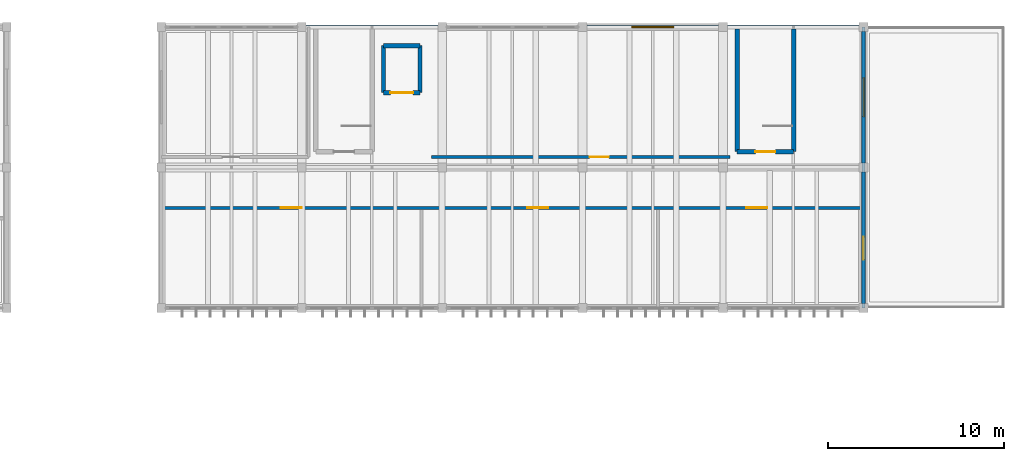
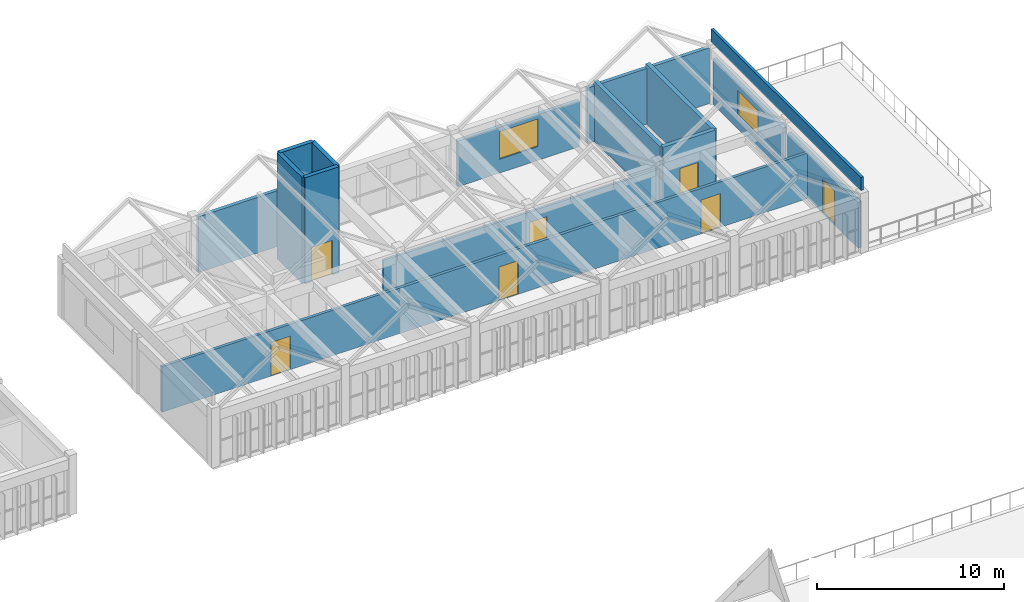
# One storey, part 22 of 31: 15 walls, 7 doors, 2 windows, 9 openings.
"""IFC4 building model written with IfcOpenShell, lengths in metres."""

from ifc_helpers import new_model, si_unit, direction, frame, frame_2d, origin, place, context, subcontext, project, spatial, rectangle, extrude, material, layer, layer_set, type_object, element, fill, save


model = new_model("IFC4")

# Units and contexts
model_context = context("Model", 3, precision=1e-05, world=origin(), true_north=direction((0.0, 1.0)))
body_context = subcontext(model_context, "Body", "Model", "MODEL_VIEW")
ifc_project = project(units=[si_unit("LENGTHUNIT", "METRE"), si_unit("AREAUNIT", "SQUARE_METRE"), si_unit("VOLUMEUNIT", "CUBIC_METRE"), si_unit("PLANEANGLEUNIT", "RADIAN"), si_unit("MASSUNIT", "GRAM", prefix="KILO")], contexts=[model_context])

# Site, building, storey
site_placement = place(None, origin())
site = spatial("IfcSite", under=ifc_project, at=site_placement, CompositionType="ELEMENT")
building_placement = place(site_placement, origin())
building = spatial("IfcBuilding", under=site, at=building_placement, Name="Tlaxcora Railside Police Headquarters", CompositionType="ELEMENT")
storey_placement = place(building_placement, frame((0.0, 0.0, 18.0)))
storey = spatial("IfcBuildingStorey", under=building, at=storey_placement, Name="L04", CompositionType="ELEMENT", Elevation=18.0)

# Wall, openings, doors
ifc_material_1 = material(Name="Gypsum acoustic partition board")
ifc_layer_1 = layer(ifc_material_1, 0.175048828125, Name="Gypsum acoustic partition board")
ifc_layer_set_1 = layer_set([ifc_layer_1], Name="Gypsum acoustic partition board")
wall_type_1 = type_object("IfcWallType", Name="Interior Partition Wall IW-22", PredefinedType="PARTITIONING", material=ifc_layer_set_1)
wall_1_placement = place(storey_placement, frame((102.8798828125, 82.5, 0.0), z_axis=(0.0, 0.0, 1.0), x_axis=(1.0, 0.0, 0.0)))
wall_1 = element("IfcWall", 1, at=wall_1_placement, inside=storey, type_object=wall_type_1, Name="V6 L04 interior partition 207", PredefinedType="PARTITIONING", context=body_context, shape_type="SweptSolid", body=[
    extrude(rectangle(XDim=39.840087890625, YDim=0.175048828125, at=frame_2d((19.919921875, 0.0))), origin(), (0.0, 0.0, 1.0), 2.965087890625),
])
opening_1_placement = place(wall_1_placement, frame((6.719970703125, 0.0, 0.0)))
opening_1 = element("IfcOpeningElement", 2, at=opening_1_placement, cuts=wall_1, Name="Opening D-L04-230", PredefinedType="OPENING", context=body_context, shape_type="SweptSolid", body=[
    extrude(rectangle(XDim=1.199951171875, YDim=2.199951171875, at=frame_2d((0.60009765625, 1.10009765625))), frame((0.0, 0.09765625, 0.0), z_axis=(0.0, -1.0, 0.0), x_axis=(1.0, 0.0, 0.0)), (0.0, 0.0, 1.0), 0.195068359375),
])
opening_2_placement = place(wall_1_placement, frame((20.760009765625, 0.0, 0.0)))
opening_2 = element("IfcOpeningElement", 3, at=opening_2_placement, cuts=wall_1, Name="Opening D-L04-231", PredefinedType="OPENING", context=body_context, shape_type="SweptSolid", body=[
    extrude(rectangle(XDim=1.199951171875, YDim=2.199951171875, at=frame_2d((0.60009765625, 1.10009765625))), frame((0.0, 0.09765625, 0.0), z_axis=(0.0, -1.0, 0.0), x_axis=(1.0, 0.0, 0.0)), (0.0, 0.0, 1.0), 0.195068359375),
])
opening_3_placement = place(wall_1_placement, frame((33.239990234375, 0.0, 0.0)))
opening_3 = element("IfcOpeningElement", 4, at=opening_3_placement, cuts=wall_1, Name="Opening D-L04-232", PredefinedType="OPENING", context=body_context, shape_type="SweptSolid", body=[
    extrude(rectangle(XDim=1.199951171875, YDim=2.199951171875, at=frame_2d((0.60009765625, 1.10009765625))), frame((0.0, 0.09765625, 0.0), z_axis=(0.0, -1.0, 0.0), x_axis=(1.0, 0.0, 0.0)), (0.0, 0.0, 1.0), 0.195068359375),
])
ifc_material_2 = material(Name="Steel ASTM A992 Grade 50", Category="steel")
door_type_1 = type_object("IfcDoorType", Name="Swing or Sliding Personnel Door ID-65", OperationType="NOTDEFINED", PredefinedType="DOOR", material=ifc_material_2)
door_1_placement = place(opening_1_placement, origin())
door_1 = element("IfcDoor", 5, at=door_1_placement, inside=storey, type_object=door_type_1, Name="V6 L04 door D-L04-230", OperationType="DOUBLE_DOOR_SINGLE_SWING", OverallHeight=2.199951171875, OverallWidth=1.199951171875, PredefinedType="DOOR", context=body_context, shape_type="SweptSolid", body=[
    extrude(rectangle(XDim=1.199951171875, YDim=2.199951171875, at=frame_2d((0.60009765625, 1.10009765625))), frame((0.0, 0.02490234375, 0.0), z_axis=(0.0, -1.0, 0.0), x_axis=(1.0, 0.0, 0.0)), (0.0, 0.0, 1.0), 0.050048828125),
])
fill(opening_1, door_1)
door_2_placement = place(opening_2_placement, origin())
door_2 = element("IfcDoor", 6, at=door_2_placement, inside=storey, type_object=door_type_1, Name="V6 L04 door D-L04-231", OperationType="DOUBLE_DOOR_SINGLE_SWING", OverallHeight=2.199951171875, OverallWidth=1.199951171875, PredefinedType="DOOR", context=body_context, shape_type="SweptSolid", body=[
    extrude(rectangle(XDim=1.199951171875, YDim=2.199951171875, at=frame_2d((0.60009765625, 1.10009765625))), frame((0.0, 0.02490234375, 0.0), z_axis=(0.0, -1.0, 0.0), x_axis=(1.0, 0.0, 0.0)), (0.0, 0.0, 1.0), 0.050048828125),
])
fill(opening_2, door_2)
door_3_placement = place(opening_3_placement, origin())
door_3 = element("IfcDoor", 7, at=door_3_placement, inside=storey, type_object=door_type_1, Name="V6 L04 door D-L04-232", OperationType="DOUBLE_DOOR_SINGLE_SWING", OverallHeight=2.199951171875, OverallWidth=1.199951171875, PredefinedType="DOOR", context=body_context, shape_type="SweptSolid", body=[
    extrude(rectangle(XDim=1.199951171875, YDim=2.199951171875, at=frame_2d((0.60009765625, 1.10009765625))), frame((0.0, 0.02490234375, 0.0), z_axis=(0.0, -1.0, 0.0), x_axis=(1.0, 0.0, 0.0)), (0.0, 0.0, 1.0), 0.050048828125),
])
fill(opening_3, door_3)

# Wall, opening, door
ifc_layer_2 = layer(ifc_material_1, 0.14990234375, Name="Gypsum acoustic partition board")
ifc_layer_set_2 = layer_set([ifc_layer_2], Name="Gypsum acoustic partition board")
wall_type_2 = type_object("IfcWallType", Name="Interior Partition Wall IW-91", PredefinedType="PARTITIONING", material=ifc_layer_set_2)
wall_2_placement = place(storey_placement, frame((118.199951171875, 85.39990234375, 0.0), z_axis=(0.0, 0.0, 1.0), x_axis=(1.0, 0.0, 0.0)))
wall_2 = element("IfcWall", 8, at=wall_2_placement, inside=storey, type_object=wall_type_2, Name="V6 L04 interior partition 210", PredefinedType="PARTITIONING", context=body_context, shape_type="SweptSolid", body=[
    extrude(rectangle(XDim=17.0, YDim=0.14990234375, at=frame_2d((8.5, 0.0))), origin(), (0.0, 0.0, 1.0), 2.764892578125),
])
opening_4_placement = place(wall_2_placement, frame((9.0, 0.0, 0.0)))
opening_4 = element("IfcOpeningElement", 9, at=opening_4_placement, cuts=wall_2, Name="Opening D-L04-234", PredefinedType="OPENING", context=body_context, shape_type="SweptSolid", body=[
    extrude(rectangle(XDim=1.10009765625, YDim=2.10009765625, at=frame_2d((0.550048828125, 1.050048828125))), frame((0.0, 0.0849609375, 0.0), z_axis=(0.0, -1.0, 0.0), x_axis=(1.0, 0.0, 0.0)), (0.0, 0.0, 1.0), 0.169921875),
])
door_type_2 = type_object("IfcDoorType", Name="Swing or Sliding Personnel Door ID-66", OperationType="NOTDEFINED", PredefinedType="DOOR", material=ifc_material_2)
door_4_placement = place(opening_4_placement, origin())
door_4 = element("IfcDoor", 10, at=door_4_placement, inside=storey, type_object=door_type_2, Name="V6 L04 door D-L04-234", OperationType="SINGLE_SWING_LEFT", OverallHeight=2.10009765625, OverallWidth=1.10009765625, PredefinedType="DOOR", context=body_context, shape_type="SweptSolid", body=[
    extrude(rectangle(XDim=1.10009765625, YDim=2.10009765625, at=frame_2d((0.550048828125, 1.050048828125))), frame((0.0, 0.02490234375, 0.0), z_axis=(0.0, -1.0, 0.0), x_axis=(1.0, 0.0, 0.0)), (0.0, 0.0, 1.0), 0.050048828125),
])
fill(opening_4, door_4)

# Wall
ifc_material_3 = material(Name="Precast concrete C40/50", Category="concrete")
ifc_layer_3 = layer(ifc_material_3, 0.1650390625, Name="Precast concrete C40/50")
ifc_layer_set_3 = layer_set([ifc_layer_3], Name="Precast concrete C40/50")
wall_type_3 = type_object("IfcWallType", Name="Roof Parapet Wall EW-81", PredefinedType="PARAPET", material=ifc_layer_set_3)
wall_3_placement = place(storey_placement, frame((142.800048828125, 76.800048828125, 3.89990234375), z_axis=(0.0, 0.0, 1.0), x_axis=(0.0, 1.0, 0.0)))
element("IfcWall", 11, at=wall_3_placement, inside=storey, type_object=wall_type_3, Name="Roof parapet L04-06", PredefinedType="PARAPET", context=body_context, shape_type="SweptSolid", body=[
    extrude(rectangle(XDim=16.0, YDim=0.1650390625, at=frame_2d((8.0, 0.0))), origin(), (0.0, 0.0, 1.0), 0.85009765625),
])

# Wall, opening, door
ifc_material_4 = material(Name="Concrete C40/50", Category="concrete")
ifc_layer_4 = layer(ifc_material_4, 0.25, Name="Concrete C40/50")
ifc_layer_set_4 = layer_set([ifc_layer_4], Name="Concrete C40/50")
wall_type_4 = type_object("IfcWallType", Name="Shear Core Wall IW-13", PredefinedType="SHEAR", material=ifc_layer_set_4)
wall_4_placement = place(storey_placement, frame((115.4599609375, 89.06005859375, 0.0), z_axis=(0.0, 0.0, 1.0), x_axis=(1.0, 0.0, 0.0)))
wall_4 = element("IfcWall", 12, at=wall_4_placement, inside=storey, type_object=wall_type_4, Name="Lift GL-01 L04 shaft wall S", PredefinedType="SHEAR", context=body_context, shape_type="SweptSolid", body=[
    extrude(rectangle(XDim=2.080078125, YDim=0.25, at=frame_2d((1.0400390625, 0.0))), origin(), (0.0, 0.0, 1.0), 6.919921875),
])
opening_5_placement = place(wall_4_placement, frame((0.389892578125, 0.0, 0.0)))
opening_5 = element("IfcOpeningElement", 13, at=opening_5_placement, cuts=wall_4, Name="Opening LD-GL-01-L04", PredefinedType="OPENING", context=body_context, shape_type="SweptSolid", body=[
    extrude(rectangle(XDim=1.300048828125, YDim=2.25, at=frame_2d((0.64990234375, 1.125))), frame((0.0, 0.135009765625, 0.0), z_axis=(0.0, -1.0, 0.0), x_axis=(1.0, 0.0, 0.0)), (0.0, 0.0, 1.0), 0.27001953125),
])
door_type_3 = type_object("IfcDoorType", Name="Swing or Sliding Personnel Door ID-72", OperationType="NOTDEFINED", PredefinedType="DOOR", material=ifc_material_2)
door_5_placement = place(opening_5_placement, origin())
door_5 = element("IfcDoor", 14, at=door_5_placement, inside=storey, type_object=door_type_3, Name="Lift GL-01 L04 sliding landing door", OperationType="DOUBLE_DOOR_SLIDING", OverallHeight=2.25, OverallWidth=1.300048828125, PredefinedType="DOOR", context=body_context, shape_type="SweptSolid", body=[
    extrude(rectangle(XDim=1.300048828125, YDim=2.25, at=frame_2d((0.64990234375, 1.125))), frame((0.0, 0.02490234375, 0.0), z_axis=(0.0, -1.0, 0.0), x_axis=(1.0, 0.0, 0.0)), (0.0, 0.0, 1.0), 0.050048828125),
])
fill(opening_5, door_5)

# Walls
wall_5_placement = place(storey_placement, frame((117.5400390625, 89.06005859375, 0.0), z_axis=(0.0, 0.0, 1.0), x_axis=(0.0, 1.0, 0.0)))
element("IfcWall", 15, at=wall_5_placement, inside=storey, type_object=wall_type_4, Name="Lift GL-01 L04 shaft wall E", PredefinedType="SHEAR", context=body_context, shape_type="SweptSolid", body=[
    extrude(rectangle(XDim=2.679931640625, YDim=0.25, at=frame_2d((1.33984375, 0.0))), origin(), (0.0, 0.0, 1.0), 6.919921875),
])
wall_6_placement = place(storey_placement, frame((117.5400390625, 91.739990234375, 0.0), z_axis=(0.0, 0.0, 1.0), x_axis=(-1.0, 0.0, 0.0)))
element("IfcWall", 16, at=wall_6_placement, inside=storey, type_object=wall_type_4, Name="Lift GL-01 L04 shaft wall N", PredefinedType="SHEAR", context=body_context, shape_type="SweptSolid", body=[
    extrude(rectangle(XDim=2.080078125, YDim=0.25, at=frame_2d((1.0400390625, 0.0))), origin(), (0.0, 0.0, 1.0), 6.919921875),
])
wall_7_placement = place(storey_placement, frame((115.4599609375, 91.739990234375, 0.0), z_axis=(0.0, 0.0, 1.0), x_axis=(0.0, -1.0, 0.0)))
element("IfcWall", 17, at=wall_7_placement, inside=storey, type_object=wall_type_4, Name="Lift GL-01 L04 shaft wall W", PredefinedType="SHEAR", context=body_context, shape_type="SweptSolid", body=[
    extrude(rectangle(XDim=2.679931640625, YDim=0.25, at=frame_2d((1.33984375, 0.0))), origin(), (0.0, 0.0, 1.0), 6.919921875),
])

# Wall, opening, door
wall_8_placement = place(storey_placement, frame((135.60009765625, 85.699951171875, 0.0), z_axis=(0.0, 0.0, 1.0), x_axis=(1.0, 0.0, 0.0)))
wall_8 = element("IfcWall", 18, at=wall_8_placement, inside=storey, type_object=wall_type_4, Name="CORE-C3B L04 stair core wall S", PredefinedType="SHEAR", context=body_context, shape_type="SweptSolid", body=[
    extrude(rectangle(XDim=3.219970703125, YDim=0.25, at=frame_2d((1.60986328125, 0.0))), origin(), (0.0, 0.0, 1.0), 3.89990234375),
])
opening_6_placement = place(wall_8_placement, frame((1.034912109375, 0.0, 0.0)))
opening_6 = element("IfcOpeningElement", 19, at=opening_6_placement, cuts=wall_8, Name="Opening SD-L04-030", PredefinedType="OPENING", context=body_context, shape_type="SweptSolid", body=[
    extrude(rectangle(XDim=1.14990234375, YDim=2.14990234375, at=frame_2d((0.574951171875, 1.074951171875))), frame((0.0, 0.135009765625, 0.0), z_axis=(0.0, -1.0, 0.0), x_axis=(1.0, 0.0, 0.0)), (0.0, 0.0, 1.0), 0.27001953125),
])
door_type_4 = type_object("IfcDoorType", Name="Swing or Sliding Personnel Door ID-73", OperationType="NOTDEFINED", PredefinedType="DOOR", material=ifc_material_2)
door_6_placement = place(opening_6_placement, origin())
door_6 = element("IfcDoor", 20, at=door_6_placement, inside=storey, type_object=door_type_4, Name="Stair ST8 L04 enclosure fire door", OperationType="SINGLE_SWING_RIGHT", OverallHeight=2.14990234375, OverallWidth=1.14990234375, PredefinedType="DOOR", context=body_context, shape_type="SweptSolid", body=[
    extrude(rectangle(XDim=1.14990234375, YDim=2.14990234375, at=frame_2d((0.574951171875, 1.074951171875))), frame((0.0, 0.02490234375, 0.0), z_axis=(0.0, -1.0, 0.0), x_axis=(1.0, 0.0, 0.0)), (0.0, 0.0, 1.0), 0.050048828125),
])
fill(opening_6, door_6)

# Walls
for number, where, z_axis, x_axis, name in (
    (21, (138.820068359375, 85.699951171875, 0.0), (0.0, 0.0, 1.0), (0.0, 1.0, 0.0), "CORE-C3B L04 stair core wall E"),
    (22, (135.60009765625, 92.800048828125, 0.0), (0.0, 0.0, 1.0), (0.0, -1.0, 0.0), "CORE-C3B L04 stair core wall W"),
):
    element("IfcWall", number, at=place(storey_placement, frame(where, z_axis=z_axis, x_axis=x_axis)), inside=storey, type_object=wall_type_4, Name=name, PredefinedType="SHEAR", context=body_context, shape_type="SweptSolid", body=[
        extrude(rectangle(XDim=7.10009765625, YDim=0.25, at=frame_2d((3.550048828125, 0.0))), origin(), (0.0, 0.0, 1.0), 3.89990234375),
    ])

# Wall, opening, door
ifc_layer_5 = layer(ifc_material_3, 0.22509765625, Name="Precast concrete C40/50")
ifc_layer_set_5 = layer_set([ifc_layer_5], Name="Precast concrete C40/50")
wall_type_5 = type_object("IfcWallType", Name="Structural Bearing Wall EW-69", PredefinedType="SOLIDWALL", material=ifc_layer_set_5)
wall_9_placement = place(storey_placement, frame((142.800048828125, 77.050048828125, 0.0), z_axis=(0.0, 0.0, 1.0), x_axis=(0.0, 1.0, 0.0)))
wall_9 = element("IfcWall", 23, at=wall_9_placement, inside=storey, type_object=wall_type_5, Name="V6 L04 exterior wall 1.0", PredefinedType="SOLIDWALL", context=body_context, shape_type="SweptSolid", body=[
    extrude(rectangle(XDim=7.5, YDim=0.22509765625, at=frame_2d((3.75, 0.0))), origin(), (0.0, 0.0, 1.0), 2.97998046875),
])
opening_7_placement = place(wall_9_placement, frame((2.5, 0.0, 0.0)))
opening_7 = element("IfcOpeningElement", 24, at=opening_7_placement, cuts=wall_9, Name="Opening TD-10", PredefinedType="OPENING", context=body_context, shape_type="SweptSolid", body=[
    extrude(rectangle(XDim=1.300048828125, YDim=2.199951171875, at=frame_2d((0.64990234375, 1.10009765625))), frame((0.0, 0.12255859375, 0.0), z_axis=(0.0, -1.0, 0.0), x_axis=(1.0, 0.0, 0.0)), (0.0, 0.0, 1.0), 0.2451171875),
])
ifc_material_5 = material(Name="Anodised aluminium framing", Category="aluminium")
door_type_5 = type_object("IfcDoorType", Name="Swing or Sliding Personnel Door ED-62", OperationType="NOTDEFINED", PredefinedType="DOOR", material=ifc_material_5)
door_7_placement = place(opening_7_placement, frame((1.300048828125, 0.0, 0.0), z_axis=(0.0, 0.0, 1.0), x_axis=(-1.0, 0.0, 0.0)))
door_7 = element("IfcDoor", 25, at=door_7_placement, inside=storey, type_object=door_type_5, Name="V6 L04 planted terrace access door", OperationType="SINGLE_SWING_RIGHT", OverallHeight=2.199951171875, OverallWidth=1.300048828125, PredefinedType="DOOR", context=body_context, shape_type="SweptSolid", body=[
    extrude(rectangle(XDim=1.300048828125, YDim=2.199951171875, at=frame_2d((0.64990234375, 1.10009765625))), frame((0.0, 0.02490234375, 0.0), z_axis=(0.0, -1.0, 0.0), x_axis=(1.0, 0.0, 0.0)), (0.0, 0.0, 1.0), 0.050048828125),
])
fill(opening_7, door_7)

# Wall, opening, window
wall_10_placement = place(storey_placement, frame((142.800048828125, 85.050048828125, 0.0), z_axis=(0.0, 0.0, 1.0), x_axis=(0.0, 1.0, 0.0)))
wall_10 = element("IfcWall", 26, at=wall_10_placement, inside=storey, type_object=wall_type_5, Name="V6 L04 exterior wall 1.1", PredefinedType="SOLIDWALL", context=body_context, shape_type="SweptSolid", body=[
    extrude(rectangle(XDim=7.5, YDim=0.22509765625, at=frame_2d((3.75, 0.0))), origin(), (0.0, 0.0, 1.0), 2.97998046875),
])
opening_8_placement = place(wall_10_placement, frame((2.64990234375, 0.0, 0.89990234375)))
opening_8 = element("IfcOpeningElement", 27, at=opening_8_placement, cuts=wall_10, Name="Opening WN-57", PredefinedType="OPENING", context=body_context, shape_type="SweptSolid", body=[
    extrude(rectangle(XDim=2.199951171875, YDim=1.60009765625, at=frame_2d((1.10009765625, 0.800048828125))), frame((0.0, 0.12255859375, 0.0), z_axis=(0.0, -1.0, 0.0), x_axis=(1.0, 0.0, 0.0)), (0.0, 0.0, 1.0), 0.2451171875),
])
ifc_material_6 = material(Name="Thermally broken low-E insulated glazing", Category="glass")
window_type_1 = type_object("IfcWindowType", Name="Exterior Framed or Circular Window WN-57", PartitioningType="SINGLE_PANEL", PredefinedType="WINDOW", material=ifc_material_6)
window_1_placement = place(opening_8_placement, origin())
window_1 = element("IfcWindow", 28, at=window_1_placement, inside=storey, type_object=window_type_1, Name="V6 L04 window 185", OverallHeight=1.60009765625, OverallWidth=2.199951171875, PartitioningType="SINGLE_PANEL", PredefinedType="WINDOW", context=body_context, shape_type="SweptSolid", body=[
    extrude(rectangle(XDim=2.199951171875, YDim=1.60009765625, at=frame_2d((1.10009765625, 0.800048828125))), frame((0.0, 0.030029296875, 0.0), z_axis=(0.0, -1.0, 0.0), x_axis=(1.0, 0.0, 0.0)), (0.0, 0.0, 1.0), 0.06005859375),
])
fill(opening_8, window_1)

# Wall
wall_11_placement = place(storey_placement, frame((142.550048828125, 92.800048828125, 0.0), z_axis=(0.0, 0.0, 1.0), x_axis=(-1.0, 0.0, 0.0)))
element("IfcWall", 29, at=wall_11_placement, inside=storey, type_object=wall_type_5, Name="V6 L04 exterior wall 2.0", PredefinedType="SOLIDWALL", context=body_context, shape_type="SweptSolid", body=[
    extrude(rectangle(XDim=7.5, YDim=0.22509765625, at=frame_2d((3.75, 0.0))), origin(), (0.0, 0.0, 1.0), 3.639892578125),
])

# Wall, opening, window
wall_12_placement = place(storey_placement, frame((134.550048828125, 92.800048828125, 0.0), z_axis=(0.0, 0.0, 1.0), x_axis=(-1.0, 0.0, 0.0)))
wall_12 = element("IfcWall", 30, at=wall_12_placement, inside=storey, type_object=wall_type_5, Name="V6 L04 exterior wall 2.1", PredefinedType="SOLIDWALL", context=body_context, shape_type="SweptSolid", body=[
    extrude(rectangle(XDim=7.5, YDim=0.22509765625, at=frame_2d((3.75, 0.0))), origin(), (0.0, 0.0, 1.0), 2.97998046875),
])
opening_9_placement = place(wall_12_placement, frame((2.550048828125, 0.0, 0.89990234375)))
opening_9 = element("IfcOpeningElement", 31, at=opening_9_placement, cuts=wall_12, Name="Opening WN-76", PredefinedType="OPENING", context=body_context, shape_type="SweptSolid", body=[
    extrude(rectangle(XDim=2.39990234375, YDim=1.800048828125, at=frame_2d((1.199951171875, 0.89990234375))), frame((0.0, 0.12255859375, 0.0), z_axis=(0.0, -1.0, 0.0), x_axis=(1.0, 0.0, 0.0)), (0.0, 0.0, 1.0), 0.2451171875),
])
window_type_2 = type_object("IfcWindowType", Name="Exterior Framed or Circular Window WN-76", PartitioningType="SINGLE_PANEL", PredefinedType="WINDOW", material=ifc_material_6)
window_2_placement = place(opening_9_placement, origin())
window_2 = element("IfcWindow", 32, at=window_2_placement, inside=storey, type_object=window_type_2, Name="V6 L04 window 186", OverallHeight=1.800048828125, OverallWidth=2.39990234375, PartitioningType="SINGLE_PANEL", PredefinedType="WINDOW", context=body_context, shape_type="SweptSolid", body=[
    extrude(rectangle(XDim=2.39990234375, YDim=1.800048828125, at=frame_2d((1.199951171875, 0.89990234375))), frame((0.0, 0.030029296875, 0.0), z_axis=(0.0, -1.0, 0.0), x_axis=(1.0, 0.0, 0.0)), (0.0, 0.0, 1.0), 0.06005859375),
])
fill(opening_9, window_2)

# Wall
wall_13_placement = place(storey_placement, frame((118.550048828125, 92.800048828125, 0.0), z_axis=(0.0, 0.0, 1.0), x_axis=(-1.0, 0.0, 0.0)))
element("IfcWall", 33, at=wall_13_placement, inside=storey, type_object=wall_type_5, Name="V6 L04 exterior wall 2.3", PredefinedType="SOLIDWALL", context=body_context, shape_type="SweptSolid", body=[
    extrude(rectangle(XDim=7.5, YDim=0.22509765625, at=frame_2d((3.75, 0.0))), origin(), (0.0, 0.0, 1.0), 3.639892578125),
])

save(model, "model.ifc")
